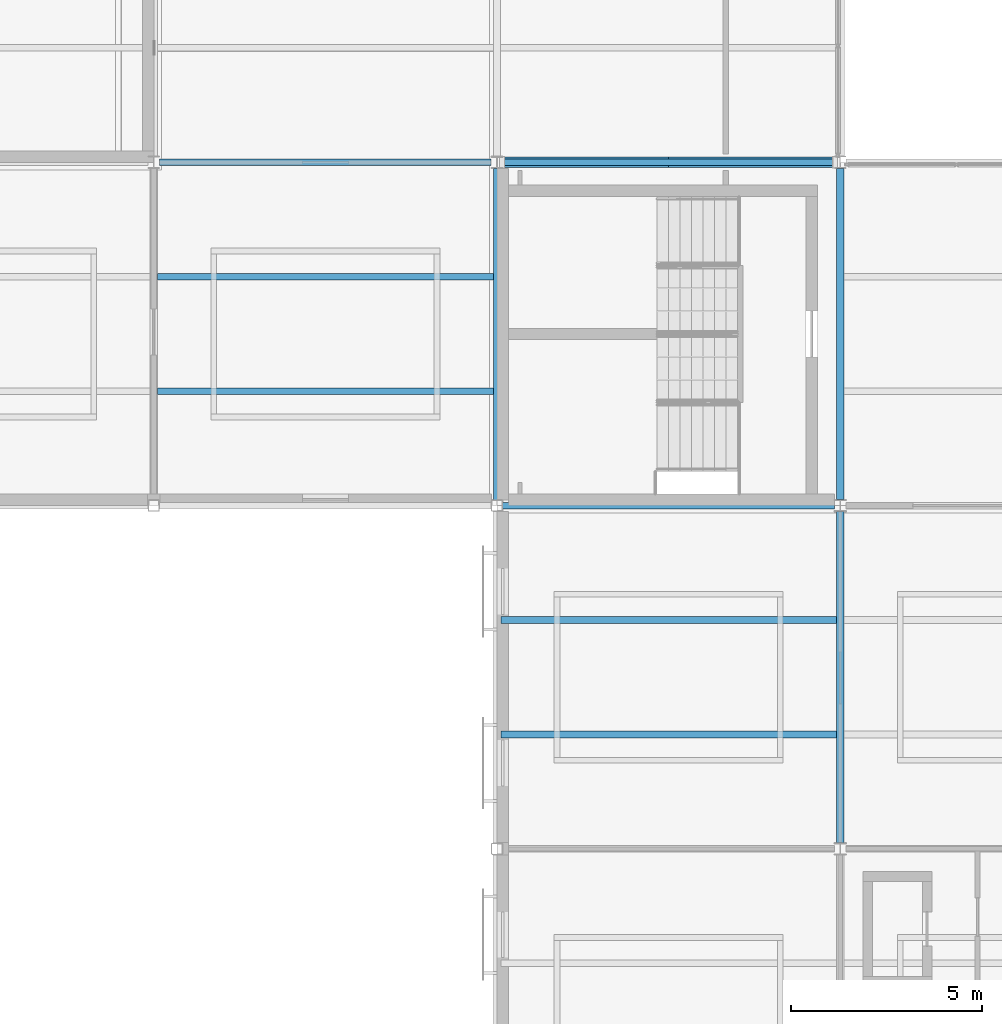
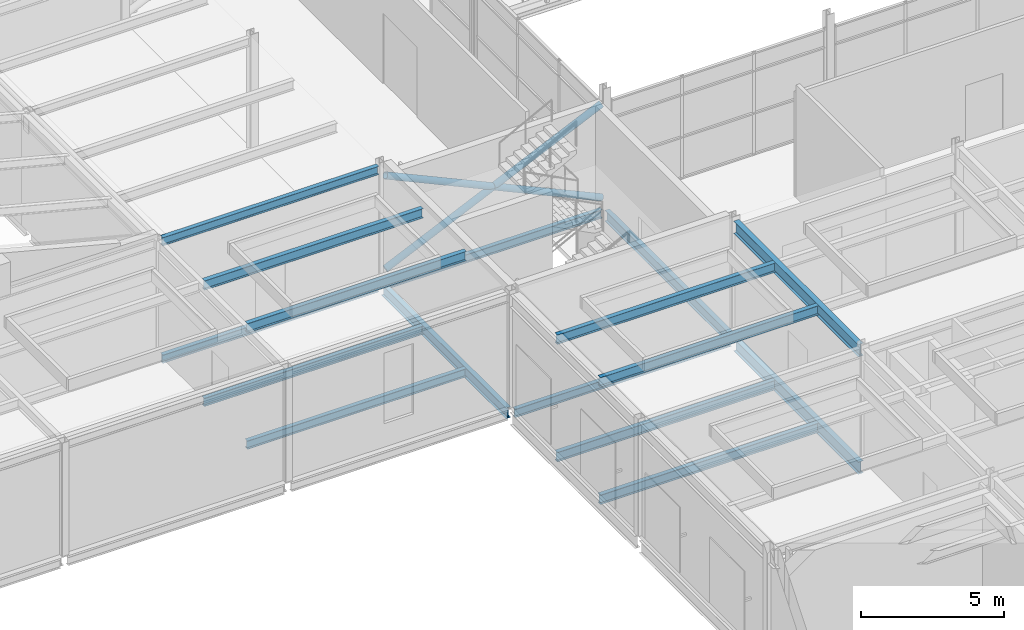
# One storey, part 21 of 115: 16 beams, 2 members.
"""IFC4 building model written with IfcOpenShell, lengths in metres."""

from ifc_helpers import new_model, si_unit, direction, frame, origin, origin_2d, place, context, subcontext, project, spatial, hollow_circle, i_section, extrude, material, material_profile, profile_set, type_object, element, save


model = new_model("IFC4")

# Units and contexts
model_context = context("Model", 3, precision=1e-05, world=origin(), true_north=direction((0.0, 1.0)))
body_context = subcontext(model_context, "Body", "Model", "MODEL_VIEW")
ifc_project = project(units=[si_unit("LENGTHUNIT", "METRE"), si_unit("AREAUNIT", "SQUARE_METRE"), si_unit("VOLUMEUNIT", "CUBIC_METRE"), si_unit("PLANEANGLEUNIT", "RADIAN"), si_unit("MASSUNIT", "GRAM", prefix="KILO")], contexts=[model_context])

# Site, building, storey
site_placement = place(None, origin())
site = spatial("IfcSite", under=ifc_project, at=site_placement, CompositionType="ELEMENT")
building_placement = place(site_placement, origin())
building = spatial("IfcBuilding", under=site, at=building_placement, Name="Shorebreak Coast Museum", CompositionType="ELEMENT")
storey_placement = place(building_placement, frame((0.0, 0.0, 11.0)))
storey = spatial("IfcBuildingStorey", under=building, at=storey_placement, Name="L02", CompositionType="ELEMENT", Elevation=11.0)

# Beams
ifc_material_1 = material(Name="Steel Grade 300", Category="steel")
ifc_material_profile_1 = material_profile(ifc_material_1, i_section(OverallWidth=0.1708984375, OverallDepth=0.355712890625, WebThickness=0.00732421875, FlangeThickness=0.011474609375, FilletRadius=0.011474609375, at=origin_2d()), Name="360UB50.7")
ifc_profile_set_1 = profile_set([ifc_material_profile_1], Name="Steel Grade 300")
beam_type_1 = type_object("IfcBeamType", Name="Floor girder east-west 360UB50.7", PredefinedType="BEAM", material=ifc_profile_set_1)
beam_1_placement = place(storey_placement, frame((45.155517578125, 63.0, -0.352783203125), z_axis=(1.0, 0.0, 0.0), x_axis=(0.0, 1.0, 0.0)))
element("IfcBeam", 1, at=beam_1_placement, inside=storey, type_object=beam_type_1, Name="Floor girder east-west L02 6H", PredefinedType="BEAM", context=body_context, shape_type="SweptSolid", body=[
    extrude(i_section(OverallWidth=0.1708984375, OverallDepth=0.355712890625, WebThickness=0.00732421875, FlangeThickness=0.011474609375, FilletRadius=0.011474609375, at=origin_2d()), origin(), (0.0, 0.0, 1.0), 8.68994140625),
])
ifc_material_2 = material(Name="Steel Grade 300", Category="steel")
ifc_material_profile_2 = material_profile(ifc_material_2, i_section(OverallWidth=0.172119140625, OverallDepth=0.358642578125, WebThickness=0.008056640625, FlangeThickness=0.012939453125, FilletRadius=0.011474609375, at=origin_2d()), Name="360UB56.7")
ifc_profile_set_2 = profile_set([ifc_material_profile_2], Name="Steel Grade 300")
beam_type_2 = type_object("IfcBeamType", Name="Floor girder east-west 360UB56.7", PredefinedType="BEAM", material=ifc_profile_set_2)
beam_2_placement = place(storey_placement, frame((54.14990234375, 54.0, -0.354248046875), z_axis=(1.0, 0.0, 0.0), x_axis=(0.0, 1.0, 0.0)))
element("IfcBeam", 2, at=beam_2_placement, inside=storey, type_object=beam_type_2, Name="Floor girder east-west L02 7G", PredefinedType="BEAM", context=body_context, shape_type="SweptSolid", body=[
    extrude(i_section(OverallWidth=0.172119140625, OverallDepth=0.358642578125, WebThickness=0.008056640625, FlangeThickness=0.012939453125, FilletRadius=0.011474609375, at=origin_2d()), origin(), (0.0, 0.0, 1.0), 8.695556640625),
])
beam_3_placement = place(storey_placement, frame((54.154541015625, 63.0, -0.354248046875), z_axis=(1.0, 0.0, 0.0), x_axis=(0.0, 1.0, 0.0)))
element("IfcBeam", 3, at=beam_3_placement, inside=storey, type_object=beam_type_2, Name="Floor girder east-west L02 7H", PredefinedType="BEAM", context=body_context, shape_type="SweptSolid", body=[
    extrude(i_section(OverallWidth=0.172119140625, OverallDepth=0.358642578125, WebThickness=0.008056640625, FlangeThickness=0.012939453125, FilletRadius=0.011474609375, at=origin_2d()), origin(), (0.0, 0.0, 1.0), 8.68994140625),
])
ifc_material_3 = material(Name="Steel Grade 300", Category="steel")
ifc_material_profile_3 = material_profile(ifc_material_3, i_section(OverallWidth=0.19091796875, OverallDepth=0.46044921875, WebThickness=0.010009765625, FlangeThickness=0.01611328125, FilletRadius=0.011474609375, at=origin_2d()), Name="460UB82.1")
ifc_profile_set_3 = profile_set([ifc_material_profile_3], Name="Steel Grade 300")
beam_type_3 = type_object("IfcBeamType", Name="Floor girder north-south 460UB82.1", PredefinedType="BEAM", material=ifc_profile_set_3)
beam_4_placement = place(storey_placement, frame((54.0, 54.14990234375, -0.4052734375), z_axis=(0.0, 1.0, 0.0), x_axis=(-1.0, 0.0, 0.0)))
element("IfcBeam", 4, at=beam_4_placement, inside=storey, type_object=beam_type_3, Name="Floor girder north-south L02 7G", PredefinedType="BEAM", context=body_context, shape_type="SweptSolid", body=[
    extrude(i_section(OverallWidth=0.19091796875, OverallDepth=0.46044921875, WebThickness=0.010009765625, FlangeThickness=0.01611328125, FilletRadius=0.011474609375, at=origin_2d()), origin(), (0.0, 0.0, 1.0), 8.689697265625),
])
beam_5_placement = place(storey_placement, frame((63.0, 54.160400390625, -0.4052734375), z_axis=(0.0, 1.0, 0.0), x_axis=(-1.0, 0.0, 0.0)))
element("IfcBeam", 5, at=beam_5_placement, inside=storey, type_object=beam_type_3, Name="Floor girder north-south L02 8G", PredefinedType="BEAM", context=body_context, shape_type="SweptSolid", body=[
    extrude(i_section(OverallWidth=0.19091796875, OverallDepth=0.46044921875, WebThickness=0.010009765625, FlangeThickness=0.01611328125, FilletRadius=0.011474609375, at=origin_2d()), origin(), (0.0, 0.0, 1.0), 8.676025390625),
])
ifc_material_4 = material(Name="Steel Grade 300", Category="steel")
ifc_material_profile_4 = material_profile(ifc_material_4, i_section(OverallWidth=0.208984375, OverallDepth=0.5283203125, WebThickness=0.009521484375, FlangeThickness=0.01318359375, FilletRadius=0.013916015625, at=origin_2d()), Name="530UB82.0")
ifc_profile_set_4 = profile_set([ifc_material_profile_4], Name="Steel Grade 300")
beam_type_4 = type_object("IfcBeamType", Name="Floor girder north-south 530UB82.0", PredefinedType="BEAM", material=ifc_profile_set_4)
beam_6_placement = place(storey_placement, frame((63.0, 45.160400390625, -0.439208984375), z_axis=(0.0, 1.0, 0.0), x_axis=(-1.0, 0.0, 0.0)))
element("IfcBeam", 6, at=beam_6_placement, inside=storey, type_object=beam_type_4, Name="Floor girder north-south L02 8F", PredefinedType="BEAM", context=body_context, shape_type="SweptSolid", body=[
    extrude(i_section(OverallWidth=0.208984375, OverallDepth=0.5283203125, WebThickness=0.009521484375, FlangeThickness=0.01318359375, FilletRadius=0.013916015625, at=origin_2d()), origin(), (0.0, 0.0, 1.0), 8.67919921875),
])
ifc_material_5 = material(Name="Steel Grade 300", Category="steel")
ifc_material_profile_5 = material_profile(ifc_material_5, i_section(OverallWidth=0.1708984375, OverallDepth=0.355712890625, WebThickness=0.00732421875, FlangeThickness=0.011474609375, FilletRadius=0.011474609375, at=origin_2d()), Name="360UB50.7")
ifc_profile_set_5 = profile_set([ifc_material_profile_5], Name="Steel Grade 300")
beam_type_5 = type_object("IfcBeamType", Name="Floor joist 360UB50.7", PredefinedType="JOIST", material=ifc_profile_set_5)
for number, where, z_axis, x_axis, name in (
    (7, (45.095458984375, 57.0, -0.352783203125), (1.0, 0.0, 0.0), (0.0, 1.0, 0.0), "Floor joist L02 bay 6G at 3000 mm"),
    (8, (45.095458984375, 60.0, -0.352783203125), (1.0, 0.0, 0.0), (0.0, 1.0, 0.0), "Floor joist L02 bay 6G at 6000 mm"),
):
    element("IfcBeam", number, at=place(storey_placement, frame(where, z_axis=z_axis, x_axis=x_axis)), inside=storey, type_object=beam_type_5, Name=name, PredefinedType="JOIST", context=body_context, shape_type="SweptSolid", body=[
        extrude(i_section(OverallWidth=0.1708984375, OverallDepth=0.355712890625, WebThickness=0.00732421875, FlangeThickness=0.011474609375, FilletRadius=0.011474609375, at=origin_2d()), origin(), (0.0, 0.0, 1.0), 8.80908203125),
    ])
ifc_material_6 = material(Name="Steel Grade 300", Category="steel")
ifc_material_profile_6 = material_profile(ifc_material_6, i_section(OverallWidth=0.177978515625, OverallDepth=0.406494140625, WebThickness=0.0078125, FlangeThickness=0.0126953125, FilletRadius=0.011474609375, at=origin_2d()), Name="410UB59.7")
ifc_profile_set_6 = profile_set([ifc_material_profile_6], Name="Steel Grade 300")
beam_type_6 = type_object("IfcBeamType", Name="Floor joist 410UB59.7", PredefinedType="JOIST", material=ifc_profile_set_6)
for number, where, z_axis, x_axis, name in (
    (9, (54.1044921875, 48.0, -0.378173828125), (1.0, 0.0, 0.0), (0.0, 1.0, 0.0), "Floor joist L02 bay 7F at 3000 mm"),
    (10, (54.1044921875, 51.0, -0.378173828125), (1.0, 0.0, 0.0), (0.0, 1.0, 0.0), "Floor joist L02 bay 7F at 6000 mm"),
):
    element("IfcBeam", number, at=place(storey_placement, frame(where, z_axis=z_axis, x_axis=x_axis)), inside=storey, type_object=beam_type_6, Name=name, PredefinedType="JOIST", context=body_context, shape_type="SweptSolid", body=[
        extrude(i_section(OverallWidth=0.177978515625, OverallDepth=0.406494140625, WebThickness=0.0078125, FlangeThickness=0.0126953125, FilletRadius=0.011474609375, at=origin_2d()), origin(), (0.0, 0.0, 1.0), 8.791015625),
    ])
ifc_material_7 = material(Name="Steel Grade 300", Category="steel")
ifc_material_profile_7 = material_profile(ifc_material_7, i_section(OverallWidth=0.1708984375, OverallDepth=0.355712890625, WebThickness=0.00732421875, FlangeThickness=0.011474609375, FilletRadius=0.011474609375, at=origin_2d()), Name="360UB50.7")
ifc_profile_set_7 = profile_set([ifc_material_profile_7], Name="Steel Grade 300")
beam_type_7 = type_object("IfcBeamType", Name="Roof deck girder east-west 360UB50.7", PredefinedType="BEAM", material=ifc_profile_set_7)
beam_7_placement = place(storey_placement, frame((45.155517578125, 63.0, 4.647216796875), z_axis=(1.0, 0.0, 0.0), x_axis=(0.0, 1.0, 0.0)))
element("IfcBeam", 11, at=beam_7_placement, inside=storey, type_object=beam_type_7, Name="Roof deck girder east-west L03 6H", PredefinedType="BEAM", context=body_context, shape_type="SweptSolid", body=[
    extrude(i_section(OverallWidth=0.1708984375, OverallDepth=0.355712890625, WebThickness=0.00732421875, FlangeThickness=0.011474609375, FilletRadius=0.011474609375, at=origin_2d()), origin(), (0.0, 0.0, 1.0), 8.69091796875),
])
ifc_material_8 = material(Name="Steel Grade 300", Category="steel")
ifc_material_profile_8 = material_profile(ifc_material_8, i_section(OverallWidth=0.208984375, OverallDepth=0.5283203125, WebThickness=0.009521484375, FlangeThickness=0.01318359375, FilletRadius=0.013916015625, at=origin_2d()), Name="530UB82.0")
ifc_profile_set_8 = profile_set([ifc_material_profile_8], Name="Steel Grade 300")
beam_type_8 = type_object("IfcBeamType", Name="Roof deck girder north-south 530UB82.0", PredefinedType="BEAM", material=ifc_profile_set_8)
beam_8_placement = place(storey_placement, frame((63.0, 45.1572265625, 4.560791015625), z_axis=(0.0, 1.0, 0.0), x_axis=(-1.0, 0.0, 0.0)))
element("IfcBeam", 12, at=beam_8_placement, inside=storey, type_object=beam_type_8, Name="Roof deck girder north-south L03 8F", PredefinedType="BEAM", context=body_context, shape_type="SweptSolid", body=[
    extrude(i_section(OverallWidth=0.208984375, OverallDepth=0.5283203125, WebThickness=0.009521484375, FlangeThickness=0.01318359375, FilletRadius=0.013916015625, at=origin_2d()), origin(), (0.0, 0.0, 1.0), 8.685546875),
])
ifc_material_9 = material(Name="Steel Grade 300", Category="steel")
ifc_material_profile_9 = material_profile(ifc_material_9, i_section(OverallWidth=0.177978515625, OverallDepth=0.402587890625, WebThickness=0.007568359375, FlangeThickness=0.010986328125, FilletRadius=0.011474609375, at=origin_2d()), Name="410UB53.7")
ifc_profile_set_9 = profile_set([ifc_material_profile_9], Name="Steel Grade 300")
beam_type_9 = type_object("IfcBeamType", Name="Roof deck joist 410UB53.7", PredefinedType="JOIST", material=ifc_profile_set_9)
for number, where, z_axis, x_axis, name in (
    (13, (54.1044921875, 48.0, 4.623779296875), (1.0, 0.0, 0.0), (0.0, 1.0, 0.0), "Roof deck joist L03 bay 7F at 3000 mm"),
    (14, (54.1044921875, 51.0, 4.623779296875), (1.0, 0.0, 0.0), (0.0, 1.0, 0.0), "Roof deck joist L03 bay 7F at 6000 mm"),
):
    element("IfcBeam", number, at=place(storey_placement, frame(where, z_axis=z_axis, x_axis=x_axis)), inside=storey, type_object=beam_type_9, Name=name, PredefinedType="JOIST", context=body_context, shape_type="SweptSolid", body=[
        extrude(i_section(OverallWidth=0.177978515625, OverallDepth=0.402587890625, WebThickness=0.007568359375, FlangeThickness=0.010986328125, FilletRadius=0.011474609375, at=origin_2d()), origin(), (0.0, 0.0, 1.0), 8.791015625),
    ])
for number, where, z_axis, x_axis, name in (
    (15, (45.094970703125, 57.0, 4.623779296875), (1.0, 0.0, 0.0), (0.0, 1.0, 0.0), "Roof deck joist L03 bay 6G at 3000 mm"),
    (16, (45.094970703125, 60.0, 4.623779296875), (1.0, 0.0, 0.0), (0.0, 1.0, 0.0), "Roof deck joist L03 bay 6G at 6000 mm"),
):
    element("IfcBeam", number, at=place(storey_placement, frame(where, z_axis=z_axis, x_axis=x_axis)), inside=storey, type_object=beam_type_9, Name=name, PredefinedType="JOIST", context=body_context, shape_type="SweptSolid", body=[
        extrude(i_section(OverallWidth=0.177978515625, OverallDepth=0.402587890625, WebThickness=0.007568359375, FlangeThickness=0.010986328125, FilletRadius=0.011474609375, at=origin_2d()), origin(), (0.0, 0.0, 1.0), 8.81005859375),
    ])

# Members
ifc_material_10 = material(Name="Steel Grade C350L0", Category="steel")
ifc_material_profile_10 = material_profile(ifc_material_10, hollow_circle(Radius=0.136474609375, WallThickness=0.00927734375, at=origin_2d()), Name="273.1x9.3 CHS")
ifc_profile_set_10 = profile_set([ifc_material_profile_10], Name="Steel Grade C350L0")
member_type = type_object("IfcMemberType", Name="X-brace 273.1x9.3 CHS", PredefinedType="BRACE", material=ifc_profile_set_10)
for number, where, z_axis, x_axis, name in (
    (17, (54.153564453125, 63.0, 0.300048828125), (0.90940077175, 0.0, 0.415920949628), (0.0, 1.0, 0.0), "X-brace bay 01 L02 diagonal 1"),
    (18, (62.844482421875, 63.0, 0.300048828125), (-0.90940077175, 0.0, 0.415920949628), (0.0, -1.0, 0.0), "X-brace bay 01 L02 diagonal 2"),
):
    element("IfcMember", number, at=place(storey_placement, frame(where, z_axis=z_axis, x_axis=x_axis)), inside=storey, type_object=member_type, Name=name, PredefinedType="BRACE", context=body_context, shape_type="SweptSolid", body=[
        extrude(hollow_circle(Radius=0.136474609375, WallThickness=0.00927734375, at=origin_2d()), origin(), (0.0, 0.0, 1.0), 9.556640625),
    ])

save(model, "model.ifc")
